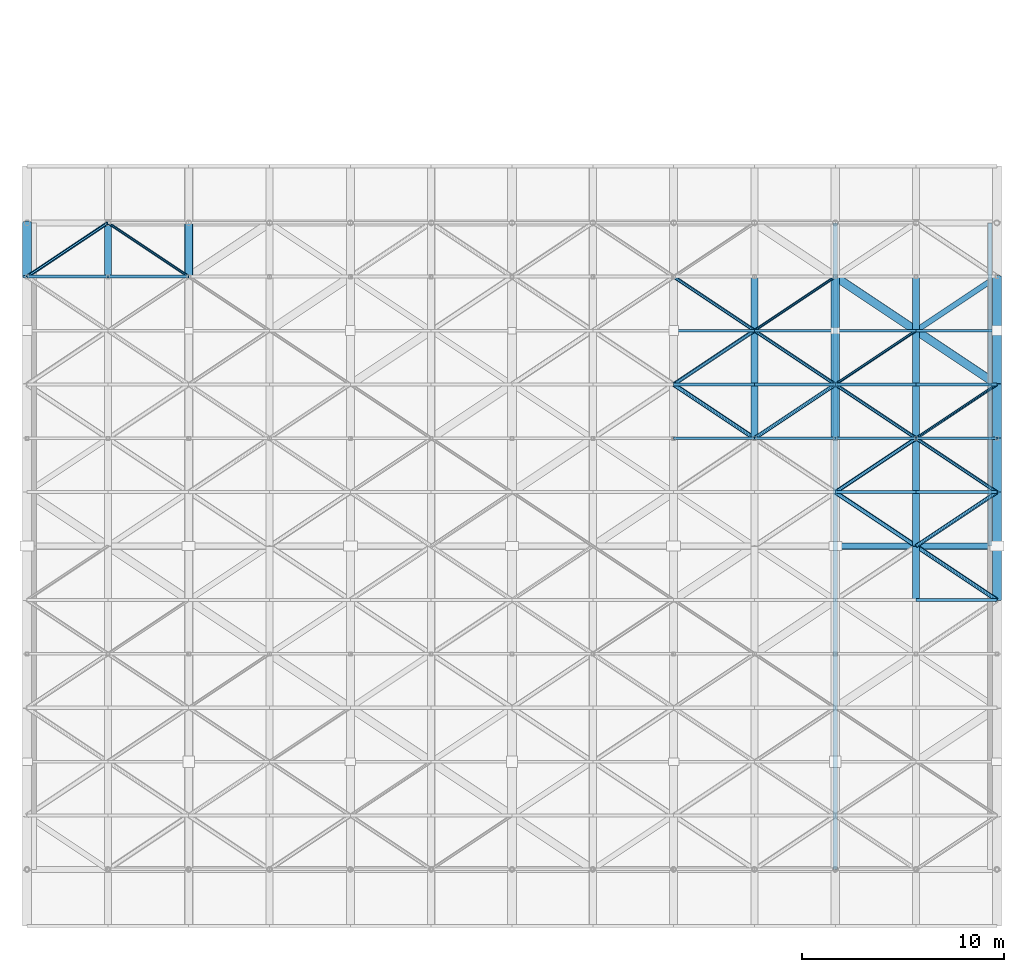
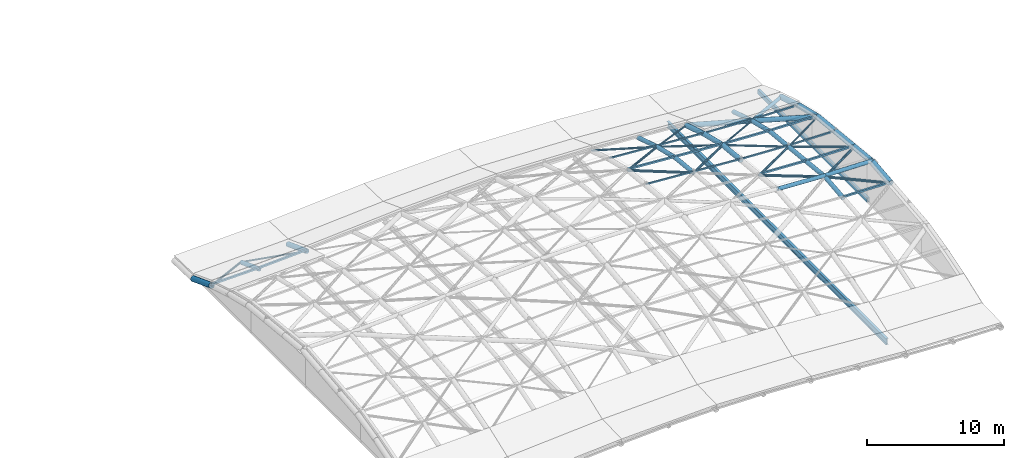
# One storey, part 7 of 20: 38 members, 24 beams.
"""IFC4 building model written with IfcOpenShell, lengths in metres."""

from ifc_helpers import new_model, si_unit, direction, frame, origin, origin_2d, place, context, subcontext, project, spatial, hollow_rectangle, hollow_circle, i_section, extrude, material, material_profile, profile_set, type_object, element, save


model = new_model("IFC4")

# Units and contexts
model_context = context("Model", 3, precision=1e-05, world=origin(), true_north=direction((0.0, 1.0)))
body_context = subcontext(model_context, "Body", "Model", "MODEL_VIEW")
ifc_project = project(units=[si_unit("LENGTHUNIT", "METRE"), si_unit("AREAUNIT", "SQUARE_METRE"), si_unit("VOLUMEUNIT", "CUBIC_METRE"), si_unit("PLANEANGLEUNIT", "RADIAN"), si_unit("MASSUNIT", "GRAM", prefix="KILO")], contexts=[model_context])

# Site, building, storey
site_placement = place(None, origin())
site = spatial("IfcSite", under=ifc_project, at=site_placement, CompositionType="ELEMENT")
building_placement = place(site_placement, origin())
building = spatial("IfcBuilding", under=site, at=building_placement, Name="Tenunan Teduh Sports Hall", CompositionType="ELEMENT")
storey_placement = place(building_placement, frame((0.0, 0.0, 23.39990234375)))
storey = spatial("IfcBuildingStorey", under=building, at=storey_placement, Name="RF", CompositionType="ELEMENT", Elevation=23.39990234375)

# Beams
ifc_material_1 = material(Name="Steel S355", Category="steel")
ifc_material_profile_1 = material_profile(ifc_material_1, hollow_circle(Radius=0.177734375, WallThickness=0.012451171875, at=origin_2d()), Name="CHS 355.6x12.5")
ifc_profile_set_1 = profile_set([ifc_material_profile_1], Name="Steel S355")
beam_type_1 = type_object("IfcBeamType", Name="GSB-CHS356", PredefinedType="BEAM", material=ifc_profile_set_1)
beam_1_placement = place(storey_placement, frame((10.0, 43.333251953125, 0.7021484375), z_axis=(0.0, 0.936146189375, -0.351611023888), x_axis=(-1.0, 0.0, 0.0)))
element("IfcBeam", 1, at=beam_1_placement, inside=storey, type_object=beam_type_1, Name="Gridshell Vault Arch BM-GR-04-RF-0293", PredefinedType="BEAM", context=body_context, shape_type="SweptSolid", body=[
    extrude(hollow_circle(Radius=0.177734375, WallThickness=0.012451171875, at=origin_2d()), origin(), (0.0, 0.0, 1.0), 2.6884765625),
])
beam_2_placement = place(storey_placement, frame((42.0, 35.333251953125, 2.9208984375), z_axis=(0.0, 0.994784282387, -0.102001134878), x_axis=(-1.0, 0.0, 0.0)))
element("IfcBeam", 2, at=beam_2_placement, inside=storey, type_object=beam_type_1, Name="Gridshell Vault Arch BM-GR-04-RF-0402", PredefinedType="BEAM", context=body_context, shape_type="SweptSolid", body=[
    extrude(hollow_circle(Radius=0.177734375, WallThickness=0.012451171875, at=origin_2d()), origin(), (0.0, 0.0, 1.0), 2.6806640625),
])
beam_3_placement = place(storey_placement, frame((42.0, 38.0, 2.6474609375), z_axis=(0.0, 0.972012875749, -0.234927583263), x_axis=(-1.0, 0.0, 0.0)))
element("IfcBeam", 3, at=beam_3_placement, inside=storey, type_object=beam_type_1, Name="Gridshell Vault Arch BM-GR-04-RF-0403", PredefinedType="BEAM", context=body_context, shape_type="SweptSolid", body=[
    extrude(hollow_circle(Radius=0.177734375, WallThickness=0.012451171875, at=origin_2d()), origin(), (0.0, 0.0, 1.0), 2.74365234375),
])
beam_4_placement = place(storey_placement, frame((42.0, 40.666748046875, 2.0029296875), z_axis=(0.0, 0.955399948598, -0.295314981365), x_axis=(-1.0, 0.0, 0.0)))
element("IfcBeam", 4, at=beam_4_placement, inside=storey, type_object=beam_type_1, Name="Gridshell Vault Arch BM-GR-04-RF-0404", PredefinedType="BEAM", context=body_context, shape_type="SweptSolid", body=[
    extrude(hollow_circle(Radius=0.177734375, WallThickness=0.012451171875, at=origin_2d()), origin(), (0.0, 0.0, 1.0), 2.791015625),
])
for number, where, z_axis, x_axis, name in (
    (5, (50.0, 27.333251953125, 2.7177734375), (0.0, 0.994635403039, 0.103442810387), (-1.0, 0.0, 0.0), "Gridshell Vault Arch BM-GR-04-RF-0427"),
    (6, (50.0, 30.0, 2.9951171875), (0.0, 0.994635403039, -0.103442810387), (-1.0, 0.0, 0.0), "Gridshell Vault Arch BM-GR-04-RF-0428"),
):
    element("IfcBeam", number, at=place(storey_placement, frame(where, z_axis=z_axis, x_axis=x_axis)), inside=storey, type_object=beam_type_1, Name=name, PredefinedType="BEAM", context=body_context, shape_type="SweptSolid", body=[
        extrude(hollow_circle(Radius=0.177734375, WallThickness=0.012451171875, at=origin_2d()), origin(), (0.0, 0.0, 1.0), 2.68115234375),
    ])
beam_5_placement = place(storey_placement, frame((50.0, 32.666748046875, 2.7177734375), z_axis=(0.0, 0.994783334719, -0.102010376752), x_axis=(-1.0, 0.0, 0.0)))
element("IfcBeam", 7, at=beam_5_placement, inside=storey, type_object=beam_type_1, Name="Gridshell Vault Arch BM-GR-04-RF-0429", PredefinedType="BEAM", context=body_context, shape_type="SweptSolid", body=[
    extrude(hollow_circle(Radius=0.177734375, WallThickness=0.012451171875, at=origin_2d()), origin(), (0.0, 0.0, 1.0), 2.680419921875),
])
beam_6_placement = place(storey_placement, frame((50.0, 35.333251953125, 2.4443359375), z_axis=(0.0, 0.994784282387, -0.102001134878), x_axis=(-1.0, 0.0, 0.0)))
element("IfcBeam", 8, at=beam_6_placement, inside=storey, type_object=beam_type_1, Name="Gridshell Vault Arch BM-GR-04-RF-0430", PredefinedType="BEAM", context=body_context, shape_type="SweptSolid", body=[
    extrude(hollow_circle(Radius=0.177734375, WallThickness=0.012451171875, at=origin_2d()), origin(), (0.0, 0.0, 1.0), 2.6806640625),
])
beam_7_placement = place(storey_placement, frame((50.0, 38.0, 2.1708984375), z_axis=(0.0, 0.972012875749, -0.234927583263), x_axis=(-1.0, 0.0, 0.0)))
element("IfcBeam", 9, at=beam_7_placement, inside=storey, type_object=beam_type_1, Name="Gridshell Vault Arch BM-GR-04-RF-0431", PredefinedType="BEAM", context=body_context, shape_type="SweptSolid", body=[
    extrude(hollow_circle(Radius=0.177734375, WallThickness=0.012451171875, at=origin_2d()), origin(), (0.0, 0.0, 1.0), 2.74365234375),
])
beam_8_placement = place(storey_placement, frame((50.0, 40.666748046875, 1.5263671875), z_axis=(0.0, 0.955399948598, -0.295314981365), x_axis=(-1.0, 0.0, 0.0)))
element("IfcBeam", 10, at=beam_8_placement, inside=storey, type_object=beam_type_1, Name="Gridshell Vault Arch BM-GR-04-RF-0432", PredefinedType="BEAM", context=body_context, shape_type="SweptSolid", body=[
    extrude(hollow_circle(Radius=0.177734375, WallThickness=0.012451171875, at=origin_2d()), origin(), (0.0, 0.0, 1.0), 2.791015625),
])
ifc_material_2 = material(Name="Steel S355", Category="steel")
ifc_material_profile_2 = material_profile(ifc_material_2, hollow_circle(Radius=0.203125, WallThickness=0.01611328125, at=origin_2d()), Name="CHS 406.4x16.0")
ifc_profile_set_2 = profile_set([ifc_material_profile_2], Name="Steel S355")
beam_type_2 = type_object("IfcBeamType", Name="GSB-CHS406", PredefinedType="BEAM", material=ifc_profile_set_2)
beam_9_placement = place(storey_placement, frame((14.0, 43.333251953125, 0.9013671875), z_axis=(0.0, 0.935428675248, -0.353515478479), x_axis=(-1.0, 0.0, 0.0)))
element("IfcBeam", 11, at=beam_9_placement, inside=storey, type_object=beam_type_2, Name="Gridshell Vault Arch BM-GA-02-RF-0307", PredefinedType="BEAM", context=body_context, shape_type="SweptSolid", body=[
    extrude(hollow_circle(Radius=0.203125, WallThickness=0.01611328125, at=origin_2d()), origin(), (0.0, 0.0, 1.0), 2.850830078125),
])
beam_10_placement = place(storey_placement, frame((46.0, 35.333251953125, 2.6435546875), z_axis=(0.0, 0.994784282387, -0.102001134878), x_axis=(-1.0, 0.0, 0.0)))
element("IfcBeam", 12, at=beam_10_placement, inside=storey, type_object=beam_type_2, Name="Gridshell Vault Arch BM-GA-02-RF-0416", PredefinedType="BEAM", context=body_context, shape_type="SweptSolid", body=[
    extrude(hollow_circle(Radius=0.203125, WallThickness=0.01611328125, at=origin_2d()), origin(), (0.0, 0.0, 1.0), 2.6806640625),
])
beam_11_placement = place(storey_placement, frame((46.0, 38.0, 2.3701171875), z_axis=(0.0, 0.972012875749, -0.234927583263), x_axis=(-1.0, 0.0, 0.0)))
element("IfcBeam", 13, at=beam_11_placement, inside=storey, type_object=beam_type_2, Name="Gridshell Vault Arch BM-GA-02-RF-0417", PredefinedType="BEAM", context=body_context, shape_type="SweptSolid", body=[
    extrude(hollow_circle(Radius=0.203125, WallThickness=0.01611328125, at=origin_2d()), origin(), (0.0, 0.0, 1.0), 2.74365234375),
])
beam_12_placement = place(storey_placement, frame((46.0, 40.666748046875, 1.7255859375), z_axis=(0.0, 0.955399948598, -0.295314981365), x_axis=(-1.0, 0.0, 0.0)))
element("IfcBeam", 14, at=beam_12_placement, inside=storey, type_object=beam_type_2, Name="Gridshell Vault Arch BM-GA-02-RF-0418", PredefinedType="BEAM", context=body_context, shape_type="SweptSolid", body=[
    extrude(hollow_circle(Radius=0.203125, WallThickness=0.01611328125, at=origin_2d()), origin(), (0.0, 0.0, 1.0), 2.791015625),
])
ifc_material_3 = material(Name="Steel S355", Category="steel")
ifc_material_profile_3 = material_profile(ifc_material_3, hollow_circle(Radius=0.228515625, WallThickness=0.01611328125, at=origin_2d()), Name="CHS 457.0x16.0")
ifc_profile_set_3 = profile_set([ifc_material_profile_3], Name="Steel S355")
beam_type_3 = type_object("IfcBeamType", Name="GSB-CHS457", PredefinedType="BEAM", material=ifc_profile_set_3)
beam_13_placement = place(storey_placement, frame((6.0, 43.333251953125, 0.6279296875), z_axis=(0.0, 0.935428675248, -0.353515478479), x_axis=(-1.0, 0.0, 0.0)))
element("IfcBeam", 15, at=beam_13_placement, inside=storey, type_object=beam_type_3, Name="Gridshell Vault Arch BM-GA-01-RF-0279", PredefinedType="BEAM", context=body_context, shape_type="SweptSolid", body=[
    extrude(hollow_circle(Radius=0.228515625, WallThickness=0.01611328125, at=origin_2d()), origin(), (0.0, 0.0, 1.0), 2.850830078125),
])
for number, where, z_axis, x_axis, name in (
    (16, (54.0, 27.333251953125, 2.6435546875), (0.0, 0.994635403039, 0.103442810387), (-1.0, 0.0, 0.0), "Gridshell Vault Arch BM-GA-01-RF-0441"),
    (17, (54.0, 30.0, 2.9208984375), (0.0, 0.994635403039, -0.103442810387), (-1.0, 0.0, 0.0), "Gridshell Vault Arch BM-GA-01-RF-0442"),
):
    element("IfcBeam", number, at=place(storey_placement, frame(where, z_axis=z_axis, x_axis=x_axis)), inside=storey, type_object=beam_type_3, Name=name, PredefinedType="BEAM", context=body_context, shape_type="SweptSolid", body=[
        extrude(hollow_circle(Radius=0.228515625, WallThickness=0.01611328125, at=origin_2d()), origin(), (0.0, 0.0, 1.0), 2.68115234375),
    ])
beam_14_placement = place(storey_placement, frame((54.0, 32.666748046875, 2.6435546875), z_axis=(0.0, 0.994783334719, -0.102010376752), x_axis=(-1.0, 0.0, 0.0)))
element("IfcBeam", 18, at=beam_14_placement, inside=storey, type_object=beam_type_3, Name="Gridshell Vault Arch BM-GA-01-RF-0443", PredefinedType="BEAM", context=body_context, shape_type="SweptSolid", body=[
    extrude(hollow_circle(Radius=0.228515625, WallThickness=0.01611328125, at=origin_2d()), origin(), (0.0, 0.0, 1.0), 2.680419921875),
])
beam_15_placement = place(storey_placement, frame((54.0, 35.333251953125, 2.3701171875), z_axis=(0.0, 0.994784282387, -0.102001134878), x_axis=(-1.0, 0.0, 0.0)))
element("IfcBeam", 19, at=beam_15_placement, inside=storey, type_object=beam_type_3, Name="Gridshell Vault Arch BM-GA-01-RF-0444", PredefinedType="BEAM", context=body_context, shape_type="SweptSolid", body=[
    extrude(hollow_circle(Radius=0.228515625, WallThickness=0.01611328125, at=origin_2d()), origin(), (0.0, 0.0, 1.0), 2.6806640625),
])
beam_16_placement = place(storey_placement, frame((54.0, 38.0, 2.0966796875), z_axis=(0.0, 0.972012875749, -0.234927583263), x_axis=(-1.0, 0.0, 0.0)))
element("IfcBeam", 20, at=beam_16_placement, inside=storey, type_object=beam_type_3, Name="Gridshell Vault Arch BM-GA-01-RF-0445", PredefinedType="BEAM", context=body_context, shape_type="SweptSolid", body=[
    extrude(hollow_circle(Radius=0.228515625, WallThickness=0.01611328125, at=origin_2d()), origin(), (0.0, 0.0, 1.0), 2.74365234375),
])
beam_17_placement = place(storey_placement, frame((54.0, 40.666748046875, 1.4521484375), z_axis=(0.0, 0.955399948598, -0.295314981365), x_axis=(-1.0, 0.0, 0.0)))
element("IfcBeam", 21, at=beam_17_placement, inside=storey, type_object=beam_type_3, Name="Gridshell Vault Arch BM-GA-01-RF-0446", PredefinedType="BEAM", context=body_context, shape_type="SweptSolid", body=[
    extrude(hollow_circle(Radius=0.228515625, WallThickness=0.01611328125, at=origin_2d()), origin(), (0.0, 0.0, 1.0), 2.791015625),
])

# Members
ifc_material_4 = material(Name="Steel S355", Category="steel")
ifc_material_profile_4 = material_profile(ifc_material_4, hollow_circle(Radius=0.06982421875, WallThickness=0.00634765625, at=origin_2d()), Name="CHS 139.7x6.3")
ifc_profile_set_4 = profile_set([ifc_material_profile_4], Name="Steel S355")
member_type_1 = type_object("IfcMemberType", Name="MEM-BR-CHS140", PredefinedType="BRACE", material=ifc_profile_set_4)
member_1_placement = place(storey_placement, frame((10.0, 46.0, -0.3056640625), z_axis=(0.806995177005, -0.538013203029, 0.243517099311), x_axis=(0.554711915519, 0.832042481356, 0.0)))
element("IfcMember", 22, at=member_1_placement, inside=storey, type_object=member_type_1, Name="MEM-GD-05-RF-0563", PredefinedType="BRACE", context=body_context, shape_type="SweptSolid", body=[
    extrude(hollow_circle(Radius=0.06982421875, WallThickness=0.00634765625, at=origin_2d()), origin(), (0.0, 0.0, 1.0), 4.95654296875),
])
member_2_placement = place(storey_placement, frame((42.0, 40.666748046875, 2.0029296875), z_axis=(0.811045695554, 0.540664128836, -0.223354381002), x_axis=(-0.554676756648, 0.832065920246, 0.0)))
element("IfcMember", 23, at=member_2_placement, inside=storey, type_object=member_type_1, Name="MEM-GD-05-RF-0778", PredefinedType="BRACE", context=body_context, shape_type="SweptSolid", body=[
    extrude(hollow_circle(Radius=0.06982421875, WallThickness=0.00634765625, at=origin_2d()), origin(), (0.0, 0.0, 1.0), 4.931884765625),
])
member_3_placement = place(storey_placement, frame((46.0, 38.0, 2.3701171875), z_axis=(0.819516270357, 0.546360853339, -0.172866713278), x_axis=(-0.554711915519, 0.832042481356, 0.0)))
element("IfcMember", 24, at=member_3_placement, inside=storey, type_object=member_type_1, Name="MEM-GD-05-RF-0804", PredefinedType="BRACE", context=body_context, shape_type="SweptSolid", body=[
    extrude(hollow_circle(Radius=0.06982421875, WallThickness=0.00634765625, at=origin_2d()), origin(), (0.0, 0.0, 1.0), 4.880859375),
])
member_4_placement = place(storey_placement, frame((50.0, 35.333251953125, 2.4443359375), z_axis=(0.829875339825, 0.553267110407, -0.072127837153), x_axis=(-0.554711915519, 0.832042481356, 0.0)))
element("IfcMember", 25, at=member_4_placement, inside=storey, type_object=member_type_1, Name="MEM-GD-05-RF-0828", PredefinedType="BRACE", context=body_context, shape_type="SweptSolid", body=[
    extrude(hollow_circle(Radius=0.06982421875, WallThickness=0.00634765625, at=origin_2d()), origin(), (0.0, 0.0, 1.0), 4.820068359375),
])
ifc_material_5 = material(Name="Steel S355", Category="steel")
ifc_material_profile_5 = material_profile(ifc_material_5, hollow_circle(Radius=0.084228515625, WallThickness=0.008056640625, at=origin_2d()), Name="CHS 168.3x8.0")
ifc_profile_set_5 = profile_set([ifc_material_profile_5], Name="Steel S355")
member_type_2 = type_object("IfcMemberType", Name="MEM-BR-CHS168", PredefinedType="BRACE", material=ifc_profile_set_5)
member_5_placement = place(storey_placement, frame((6.0, 43.333251953125, 0.6279296875), z_axis=(0.816783485072, 0.544538940884, -0.190635989192), x_axis=(-0.554711915519, 0.832042481356, 0.0)))
element("IfcMember", 26, at=member_5_placement, inside=storey, type_object=member_type_2, Name="MEM-GD-04-RF-0536", PredefinedType="BRACE", context=body_context, shape_type="SweptSolid", body=[
    extrude(hollow_circle(Radius=0.084228515625, WallThickness=0.008056640625, at=origin_2d()), origin(), (0.0, 0.0, 1.0), 4.897216796875),
])
member_6_placement = place(storey_placement, frame((38.0, 43.333251953125, 1.4521484375), z_axis=(0.826657985926, -0.551071687151, 0.113826929703), x_axis=(0.554676756648, 0.832065920246, 0.0)))
element("IfcMember", 27, at=member_6_placement, inside=storey, type_object=member_type_2, Name="MEM-GD-04-RF-0751", PredefinedType="BRACE", context=body_context, shape_type="SweptSolid", body=[
    extrude(hollow_circle(Radius=0.084228515625, WallThickness=0.008056640625, at=origin_2d()), origin(), (0.0, 0.0, 1.0), 4.8388671875),
])
member_7_placement = place(storey_placement, frame((42.0, 40.666748046875, 2.0029296875), z_axis=(0.829626090454, -0.553100939088, 0.076157082522), x_axis=(0.554711915519, 0.832042481356, 0.0)))
element("IfcMember", 28, at=member_7_placement, inside=storey, type_object=member_type_2, Name="MEM-GD-04-RF-0777", PredefinedType="BRACE", context=body_context, shape_type="SweptSolid", body=[
    extrude(hollow_circle(Radius=0.084228515625, WallThickness=0.008056640625, at=origin_2d()), origin(), (0.0, 0.0, 1.0), 4.821533203125),
])
member_8_placement = place(storey_placement, frame((46.0, 38.0, 2.3701171875), z_axis=(0.831943344266, -0.554645822108, 0.015436448771), x_axis=(0.554711915519, 0.832042481356, 0.0)))
element("IfcMember", 29, at=member_8_placement, inside=storey, type_object=member_type_2, Name="MEM-GD-04-RF-0803", PredefinedType="BRACE", context=body_context, shape_type="SweptSolid", body=[
    extrude(hollow_circle(Radius=0.084228515625, WallThickness=0.008056640625, at=origin_2d()), origin(), (0.0, 0.0, 1.0), 4.80810546875),
])
member_9_placement = place(storey_placement, frame((50.0, 35.333251953125, 2.4443359375), z_axis=(0.831352369747, -0.55420108535, 0.041405244978), x_axis=(0.554676756648, 0.832065920246, 0.0)))
element("IfcMember", 30, at=member_9_placement, inside=storey, type_object=member_type_2, Name="MEM-GD-04-RF-0827", PredefinedType="BRACE", context=body_context, shape_type="SweptSolid", body=[
    extrude(hollow_circle(Radius=0.084228515625, WallThickness=0.008056640625, at=origin_2d()), origin(), (0.0, 0.0, 1.0), 4.8115234375),
])
ifc_material_6 = material(Name="Steel S355", Category="steel")
ifc_material_profile_6 = material_profile(ifc_material_6, hollow_circle(Radius=0.096923828125, WallThickness=0.008056640625, at=origin_2d()), Name="CHS 193.7x8.0")
ifc_profile_set_6 = profile_set([ifc_material_profile_6], Name="Steel S355")
member_type_3 = type_object("IfcMemberType", Name="MEM-BR-CHS194", PredefinedType="BRACE", material=ifc_profile_set_6)
member_10_placement = place(storey_placement, frame((38.0, 38.0, 2.9208984375), z_axis=(0.817276570763, 0.54486767471, -0.187558588017), x_axis=(-0.554711915519, 0.832042481356, 0.0)))
element("IfcMember", 31, at=member_10_placement, inside=storey, type_object=member_type_3, Name="MEM-GD-03-RF-0750", PredefinedType="BRACE", context=body_context, shape_type="SweptSolid", body=[
    extrude(hollow_circle(Radius=0.096923828125, WallThickness=0.008056640625, at=origin_2d()), origin(), (0.0, 0.0, 1.0), 4.894287109375),
])
member_11_placement = place(storey_placement, frame((42.0, 35.333251953125, 2.9208984375), z_axis=(0.826635001077, 0.55110681865, -0.113823764797), x_axis=(-0.554711915519, 0.832042481356, 0.0)))
element("IfcMember", 32, at=member_11_placement, inside=storey, type_object=member_type_3, Name="MEM-GD-03-RF-0776", PredefinedType="BRACE", context=body_context, shape_type="SweptSolid", body=[
    extrude(hollow_circle(Radius=0.096923828125, WallThickness=0.008056640625, at=origin_2d()), origin(), (0.0, 0.0, 1.0), 4.8388671875),
])
member_12_placement = place(storey_placement, frame((46.0, 32.666748046875, 2.9169921875), z_axis=(0.82807310517, 0.552015042399, -0.097848482154), x_axis=(-0.554676756648, 0.832065920246, 0.0)))
element("IfcMember", 33, at=member_12_placement, inside=storey, type_object=member_type_3, Name="MEM-GD-03-RF-0802", PredefinedType="BRACE", context=body_context, shape_type="SweptSolid", body=[
    extrude(hollow_circle(Radius=0.096923828125, WallThickness=0.008056640625, at=origin_2d()), origin(), (0.0, 0.0, 1.0), 4.83056640625),
])
member_13_placement = place(storey_placement, frame((50.0, 30.0, 2.9951171875), z_axis=(0.82982656189, 0.553234590791, -0.072933975166), x_axis=(-0.554711915519, 0.832042481356, 0.0)))
element("IfcMember", 34, at=member_13_placement, inside=storey, type_object=member_type_3, Name="MEM-GD-03-RF-0826", PredefinedType="BRACE", context=body_context, shape_type="SweptSolid", body=[
    extrude(hollow_circle(Radius=0.096923828125, WallThickness=0.008056640625, at=origin_2d()), origin(), (0.0, 0.0, 1.0), 4.8203125),
])
ifc_material_7 = material(Name="Steel S355", Category="steel")
ifc_material_profile_7 = material_profile(ifc_material_7, hollow_circle(Radius=0.109619140625, WallThickness=0.010009765625, at=origin_2d()), Name="CHS 219.1x10.0")
ifc_profile_set_7 = profile_set([ifc_material_profile_7], Name="Steel S355")
member_type_4 = type_object("IfcMemberType", Name="MEM-BR-CHS219", PredefinedType="BRACE", material=ifc_profile_set_7)
member_14_placement = place(storey_placement, frame((38.0, 38.0, 2.9208984375), z_axis=(0.832042481356, -0.554711915519, 0.0), x_axis=(0.554711915519, 0.832042481356, 0.0)))
element("IfcMember", 35, at=member_14_placement, inside=storey, type_object=member_type_4, Name="MEM-GD-02-RF-0749", PredefinedType="BRACE", context=body_context, shape_type="SweptSolid", body=[
    extrude(hollow_circle(Radius=0.109619140625, WallThickness=0.010009765625, at=origin_2d()), origin(), (0.0, 0.0, 1.0), 4.807373046875),
])
member_15_placement = place(storey_placement, frame((46.0, 32.666748046875, 2.9169921875), z_axis=(0.831932636285, -0.554638683236, 0.016248684302), x_axis=(0.554711915519, 0.832042481356, 0.0)))
element("IfcMember", 36, at=member_15_placement, inside=storey, type_object=member_type_4, Name="MEM-GD-02-RF-0801", PredefinedType="BRACE", context=body_context, shape_type="SweptSolid", body=[
    extrude(hollow_circle(Radius=0.109619140625, WallThickness=0.010009765625, at=origin_2d()), origin(), (0.0, 0.0, 1.0), 4.80810546875),
])
member_16_placement = place(storey_placement, frame((50.0, 30.0, 2.9951171875), z_axis=(0.82982656189, -0.553234590791, -0.072933975166), x_axis=(0.554711915519, 0.832042481356, 0.0)))
element("IfcMember", 37, at=member_16_placement, inside=storey, type_object=member_type_4, Name="MEM-GD-02-RF-0825", PredefinedType="BRACE", context=body_context, shape_type="SweptSolid", body=[
    extrude(hollow_circle(Radius=0.109619140625, WallThickness=0.010009765625, at=origin_2d()), origin(), (0.0, 0.0, 1.0), 4.8203125),
])
ifc_material_8 = material(Name="Steel S355", Category="steel")
ifc_material_profile_8 = material_profile(ifc_material_8, hollow_circle(Radius=0.136474609375, WallThickness=0.010009765625, at=origin_2d()), Name="CHS 273.0x10.0")
ifc_profile_set_8 = profile_set([ifc_material_profile_8], Name="Steel S355")
member_type_5 = type_object("IfcMemberType", Name="MEM-CH-CHS273", PredefinedType="CHORD", material=ifc_profile_set_8)
member_17_placement = place(storey_placement, frame((50.0, 40.666748046875, 1.5263671875), z_axis=(0.817904708039, 0.545236524731, -0.183709065282), x_axis=(-0.554676756648, 0.832065920246, 0.0)))
element("IfcMember", 38, at=member_17_placement, inside=storey, type_object=member_type_5, Name="MEM-GC-03-RF-0830", PredefinedType="CHORD", context=body_context, shape_type="SweptSolid", body=[
    extrude(hollow_circle(Radius=0.136474609375, WallThickness=0.010009765625, at=origin_2d()), origin(), (0.0, 0.0, 1.0), 4.890625),
])
ifc_material_9 = material(Name="Steel S355", Category="steel")
ifc_material_profile_9 = material_profile(ifc_material_9, hollow_circle(Radius=0.161865234375, WallThickness=0.012451171875, at=origin_2d()), Name="CHS 323.9x12.5")
ifc_profile_set_9 = profile_set([ifc_material_profile_9], Name="Steel S355")
member_type_6 = type_object("IfcMemberType", Name="MEM-CH-CHS324", PredefinedType="CHORD", material=ifc_profile_set_9)
member_18_placement = place(storey_placement, frame((46.0, 30.0, 3.314208984375), z_axis=(0.998762049135, 0.0, -0.049743031744), x_axis=(0.0, 1.0, 0.0)))
element("IfcMember", 39, at=member_18_placement, inside=storey, type_object=member_type_6, Name="MEM-GC-02-RF-0787", PredefinedType="CHORD", context=body_context, shape_type="SweptSolid", body=[
    extrude(hollow_circle(Radius=0.161865234375, WallThickness=0.012451171875, at=origin_2d()), origin(), (0.0, 0.0, 1.0), 4.0048828125),
])
member_19_placement = place(storey_placement, frame((50.0, 30.0, 3.114990234375), z_axis=(0.99982790622, 0.0, -0.018551494354), x_axis=(0.0, 1.0, 0.0)))
element("IfcMember", 40, at=member_19_placement, inside=storey, type_object=member_type_6, Name="MEM-GC-02-RF-0813", PredefinedType="CHORD", context=body_context, shape_type="SweptSolid", body=[
    extrude(hollow_circle(Radius=0.161865234375, WallThickness=0.012451171875, at=origin_2d()), origin(), (0.0, 0.0, 1.0), 4.000732421875),
])
ifc_material_10 = material(Name="Steel S355", Category="steel")
ifc_material_profile_10 = material_profile(ifc_material_10, hollow_circle(Radius=0.203125, WallThickness=0.012451171875, at=origin_2d()), Name="CHS 406.4x12.5")
ifc_profile_set_10 = profile_set([ifc_material_profile_10], Name="Steel S355")
member_type_7 = type_object("IfcMemberType", Name="MEM-CH-CHS406L", PredefinedType="CHORD", material=ifc_profile_set_10)
member_20_placement = place(storey_placement, frame((46.0, 43.333251953125, 0.9013671875), z_axis=(0.825121757289, -0.550047597235, 0.128925274576), x_axis=(0.554676756648, 0.832065920246, 0.0)))
element("IfcMember", 41, at=member_20_placement, inside=storey, type_object=member_type_7, Name="MEM-GC-01-RF-0805", PredefinedType="CHORD", context=body_context, shape_type="SweptSolid", body=[
    extrude(hollow_circle(Radius=0.203125, WallThickness=0.012451171875, at=origin_2d()), origin(), (0.0, 0.0, 1.0), 4.84765625),
])
member_21_placement = place(storey_placement, frame((50.0, 40.666748046875, 1.5263671875), z_axis=(0.826248759611, -0.550849316482, 0.117804998929), x_axis=(0.554711915519, 0.832042481356, 0.0)))
element("IfcMember", 42, at=member_21_placement, inside=storey, type_object=member_type_7, Name="MEM-GC-01-RF-0829", PredefinedType="CHORD", context=body_context, shape_type="SweptSolid", body=[
    extrude(hollow_circle(Radius=0.203125, WallThickness=0.012451171875, at=origin_2d()), origin(), (0.0, 0.0, 1.0), 4.841064453125),
])
ifc_material_11 = material(Name="Steel S355", Category="steel")
ifc_material_profile_11 = material_profile(ifc_material_11, hollow_rectangle(XDim=0.1201171875, YDim=0.1201171875, WallThickness=0.00634765625, at=origin_2d()), Name="SHS 120x120x6.3")
ifc_profile_set_11 = profile_set([ifc_material_profile_11], Name="Steel S355")
member_type_8 = type_object("IfcMemberType", Name="MEM-PR-SHS120", PredefinedType="PURLIN", material=ifc_profile_set_11)
for number, where, z_axis, x_axis, name in (
    (43, (38.0, 35.333251953125, 3.314208984375), (0.997671655029, 0.0, -0.068200210793), (0.0, 1.0, 0.0), "MEM-PR-02-RF-0735"),
    (44, (38.0, 40.666748046875, 2.396240234375), (0.997671655029, 0.0, -0.068200210793), (0.0, 1.0, 0.0), "MEM-PR-02-RF-0737"),
):
    element("IfcMember", number, at=place(storey_placement, frame(where, z_axis=z_axis, x_axis=x_axis)), inside=storey, type_object=member_type_8, Name=name, PredefinedType="PURLIN", context=body_context, shape_type="SweptSolid", body=[
        extrude(hollow_rectangle(XDim=0.1201171875, YDim=0.1201171875, WallThickness=0.00634765625, at=origin_2d()), origin(), (0.0, 0.0, 1.0), 4.00927734375),
    ])
for number, where, z_axis, x_axis, name in (
    (45, (42.0, 35.333251953125, 3.040771484375), (0.99760489623, 0.0, -0.069169870735), (0.0, 1.0, 0.0), "MEM-PR-02-RF-0762"),
    (46, (42.0, 40.666748046875, 2.122802734375), (0.99760489623, 0.0, -0.069169870735), (0.0, 1.0, 0.0), "MEM-PR-02-RF-0764"),
):
    element("IfcMember", number, at=place(storey_placement, frame(where, z_axis=z_axis, x_axis=x_axis)), inside=storey, type_object=member_type_8, Name=name, PredefinedType="PURLIN", context=body_context, shape_type="SweptSolid", body=[
        extrude(hollow_rectangle(XDim=0.1201171875, YDim=0.1201171875, WallThickness=0.00634765625, at=origin_2d()), origin(), (0.0, 0.0, 1.0), 4.009521484375),
    ])
for number, where, z_axis, x_axis, name in (
    (47, (46.0, 35.333251953125, 2.763427734375), (0.998762049135, 0.0, -0.049743031744), (0.0, 1.0, 0.0), "MEM-PR-02-RF-0789"),
    (48, (46.0, 40.666748046875, 1.845458984375), (0.998762049135, 0.0, -0.049743031744), (0.0, 1.0, 0.0), "MEM-PR-02-RF-0791"),
):
    element("IfcMember", number, at=place(storey_placement, frame(where, z_axis=z_axis, x_axis=x_axis)), inside=storey, type_object=member_type_8, Name=name, PredefinedType="PURLIN", context=body_context, shape_type="SweptSolid", body=[
        extrude(hollow_rectangle(XDim=0.1201171875, YDim=0.1201171875, WallThickness=0.00634765625, at=origin_2d()), origin(), (0.0, 0.0, 1.0), 4.0048828125),
    ])
for number, where, z_axis, x_axis, name in (
    (49, (50.0, 35.333251953125, 2.564208984375), (0.99982790622, 0.0, -0.018551494354), (0.0, 1.0, 0.0), "MEM-PR-02-RF-0815"),
    (50, (50.0, 40.666748046875, 1.646240234375), (0.99982790622, 0.0, -0.018551494354), (0.0, 1.0, 0.0), "MEM-PR-02-RF-0817"),
):
    element("IfcMember", number, at=place(storey_placement, frame(where, z_axis=z_axis, x_axis=x_axis)), inside=storey, type_object=member_type_8, Name=name, PredefinedType="PURLIN", context=body_context, shape_type="SweptSolid", body=[
        extrude(hollow_rectangle(XDim=0.1201171875, YDim=0.1201171875, WallThickness=0.00634765625, at=origin_2d()), origin(), (0.0, 0.0, 1.0), 4.000732421875),
    ])
ifc_material_12 = material(Name="Steel S355", Category="steel")
ifc_material_profile_12 = material_profile(ifc_material_12, hollow_rectangle(XDim=0.14990234375, YDim=0.14990234375, WallThickness=0.008056640625, at=origin_2d()), Name="SHS 150x150x8.0")
ifc_profile_set_12 = profile_set([ifc_material_profile_12], Name="Steel S355")
member_type_9 = type_object("IfcMemberType", Name="MEM-PR-SHS150", PredefinedType="PURLIN", material=ifc_profile_set_12)
member_22_placement = place(storey_placement, frame((6.0, 43.333251953125, 0.747802734375), z_axis=(0.99982790622, 0.0, 0.018551494354), x_axis=(0.0, 1.0, 0.0)))
element("IfcMember", 51, at=member_22_placement, inside=storey, type_object=member_type_9, Name="MEM-PR-01-RF-0523", PredefinedType="PURLIN", context=body_context, shape_type="SweptSolid", body=[
    extrude(hollow_rectangle(XDim=0.14990234375, YDim=0.14990234375, WallThickness=0.008056640625, at=origin_2d()), origin(), (0.0, 0.0, 1.0), 4.000732421875),
])
member_23_placement = place(storey_placement, frame((10.0, 43.333251953125, 0.822021484375), z_axis=(0.998762049135, 0.0, 0.049743031744), x_axis=(0.0, 1.0, 0.0)))
element("IfcMember", 52, at=member_23_placement, inside=storey, type_object=member_type_9, Name="MEM-PR-01-RF-0549", PredefinedType="PURLIN", context=body_context, shape_type="SweptSolid", body=[
    extrude(hollow_rectangle(XDim=0.14990234375, YDim=0.14990234375, WallThickness=0.008056640625, at=origin_2d()), origin(), (0.0, 0.0, 1.0), 4.0048828125),
])
member_24_placement = place(storey_placement, frame((38.0, 38.0, 3.040771484375), z_axis=(0.997671655029, 0.0, -0.068200210793), x_axis=(0.0, 1.0, 0.0)))
element("IfcMember", 53, at=member_24_placement, inside=storey, type_object=member_type_9, Name="MEM-PR-01-RF-0736", PredefinedType="PURLIN", context=body_context, shape_type="SweptSolid", body=[
    extrude(hollow_rectangle(XDim=0.14990234375, YDim=0.14990234375, WallThickness=0.008056640625, at=origin_2d()), origin(), (0.0, 0.0, 1.0), 4.00927734375),
])
member_25_placement = place(storey_placement, frame((42.0, 38.0, 2.767333984375), z_axis=(0.99760489623, 0.0, -0.069169870735), x_axis=(0.0, 1.0, 0.0)))
element("IfcMember", 54, at=member_25_placement, inside=storey, type_object=member_type_9, Name="MEM-PR-01-RF-0763", PredefinedType="PURLIN", context=body_context, shape_type="SweptSolid", body=[
    extrude(hollow_rectangle(XDim=0.14990234375, YDim=0.14990234375, WallThickness=0.008056640625, at=origin_2d()), origin(), (0.0, 0.0, 1.0), 4.009521484375),
])
for number, where, z_axis, x_axis, name in (
    (55, (46.0, 32.666748046875, 3.036865234375), (0.998762049135, 0.0, -0.049743031744), (0.0, 1.0, 0.0), "MEM-PR-01-RF-0788"),
    (56, (46.0, 38.0, 2.489990234375), (0.998762049135, 0.0, -0.049743031744), (0.0, 1.0, 0.0), "MEM-PR-01-RF-0790"),
):
    element("IfcMember", number, at=place(storey_placement, frame(where, z_axis=z_axis, x_axis=x_axis)), inside=storey, type_object=member_type_9, Name=name, PredefinedType="PURLIN", context=body_context, shape_type="SweptSolid", body=[
        extrude(hollow_rectangle(XDim=0.14990234375, YDim=0.14990234375, WallThickness=0.008056640625, at=origin_2d()), origin(), (0.0, 0.0, 1.0), 4.0048828125),
    ])
for number, where, z_axis, x_axis, name in (
    (57, (50.0, 27.333251953125, 2.837646484375), (0.99982790622, 0.0, -0.018551494354), (0.0, 1.0, 0.0), "MEM-PR-01-RF-0812"),
    (58, (50.0, 32.666748046875, 2.837646484375), (0.99982790622, 0.0, -0.018551494354), (0.0, 1.0, 0.0), "MEM-PR-01-RF-0814"),
    (59, (50.0, 38.0, 2.290771484375), (0.99982790622, 0.0, -0.018551494354), (0.0, 1.0, 0.0), "MEM-PR-01-RF-0816"),
):
    element("IfcMember", number, at=place(storey_placement, frame(where, z_axis=z_axis, x_axis=x_axis)), inside=storey, type_object=member_type_9, Name=name, PredefinedType="PURLIN", context=body_context, shape_type="SweptSolid", body=[
        extrude(hollow_rectangle(XDim=0.14990234375, YDim=0.14990234375, WallThickness=0.008056640625, at=origin_2d()), origin(), (0.0, 0.0, 1.0), 4.000732421875),
    ])

# Beams
ifc_material_13 = material(Name="Steel S355", Category="steel")
ifc_material_profile_13 = material_profile(ifc_material_13, hollow_rectangle(XDim=0.199951171875, YDim=0.39990234375, WallThickness=0.012451171875, at=origin_2d()), Name="RHS 400x200x12.5")
ifc_profile_set_13 = profile_set([ifc_material_profile_13], Name="Steel S355")
beam_type_4 = type_object("IfcBeamType", Name="RBM-RHS400", PredefinedType="SPANDREL", material=ifc_profile_set_13)
for number, where, z_axis, x_axis, name in (
    (60, (53.646484375, 30.0, -0.35986328125), (0.0, 1.0, 0.0), (-1.0, 0.0, 0.0), "Perimeter Ring Beam BM-RB-02-RF-0259"),
    (61, (53.646484375, 38.0, -0.35986328125), (0.0, 1.0, 0.0), (-1.0, 0.0, 0.0), "Perimeter Ring Beam BM-RB-02-RF-0261"),
):
    element("IfcBeam", number, at=place(storey_placement, frame(where, z_axis=z_axis, x_axis=x_axis)), inside=storey, type_object=beam_type_4, Name=name, PredefinedType="SPANDREL", context=body_context, shape_type="SweptSolid", body=[
        extrude(hollow_rectangle(XDim=0.199951171875, YDim=0.39990234375, WallThickness=0.012451171875, at=origin_2d()), origin(), (0.0, 0.0, 1.0), 8.0),
    ])
ifc_material_14 = material(Name="Steel S355", Category="steel")
ifc_material_profile_14 = material_profile(ifc_material_14, i_section(OverallWidth=0.2099609375, OverallDepth=0.53662109375, WebThickness=0.0107421875, FlangeThickness=0.017333984375, FilletRadius=0.0126953125, at=origin_2d()), Name="UKB 533x210x101")
ifc_profile_set_14 = profile_set([ifc_material_profile_14], Name="Steel S355")
beam_type_5 = type_object("IfcBeamType", Name="SBM-UKB533", PredefinedType="BEAM", material=ifc_profile_set_14)
beam_18_placement = place(storey_placement, frame((46.0, 14.0, -0.588134765625), z_axis=(0.0, 1.0, 0.0), x_axis=(-1.0, 0.0, 0.0)))
element("IfcBeam", 62, at=beam_18_placement, inside=storey, type_object=beam_type_5, Name="BM-SB-05-RF-0266", PredefinedType="BEAM", context=body_context, shape_type="SweptSolid", body=[
    extrude(i_section(OverallWidth=0.2099609375, OverallDepth=0.53662109375, WebThickness=0.0107421875, FlangeThickness=0.017333984375, FilletRadius=0.0126953125, at=origin_2d()), origin(), (0.0, 0.0, 1.0), 32.0),
])

save(model, "model.ifc")
